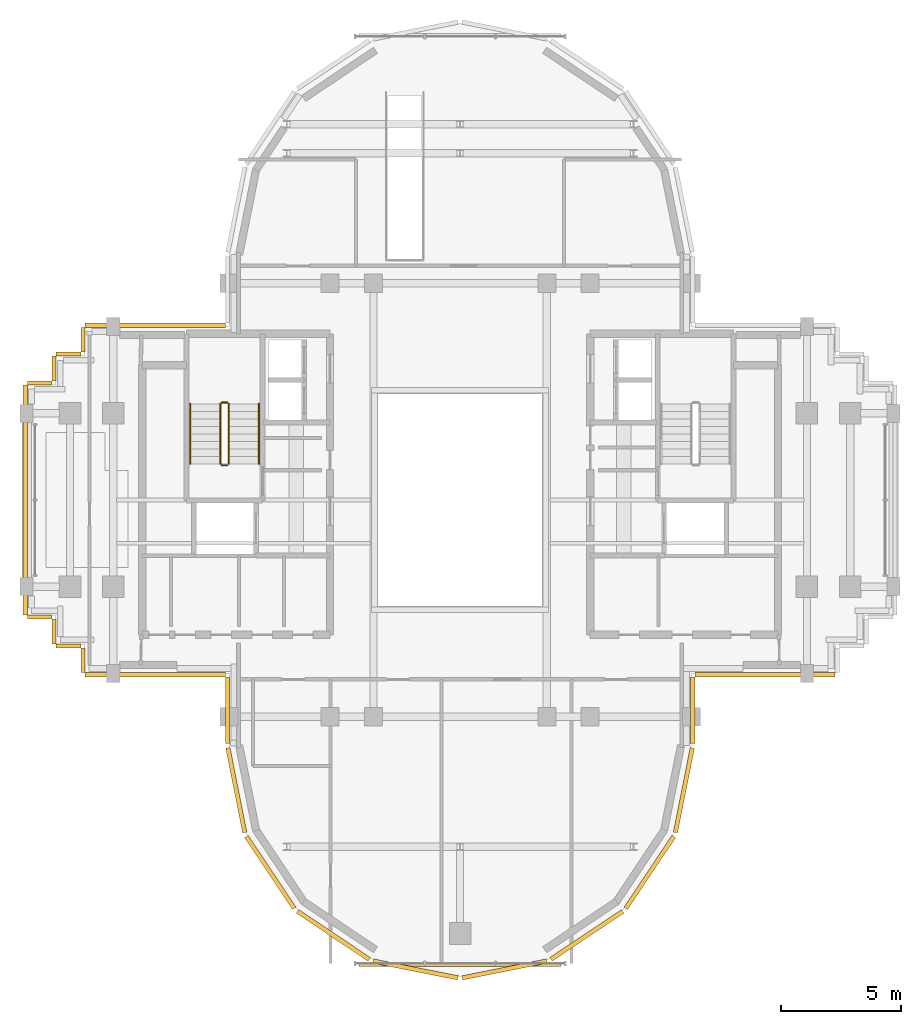
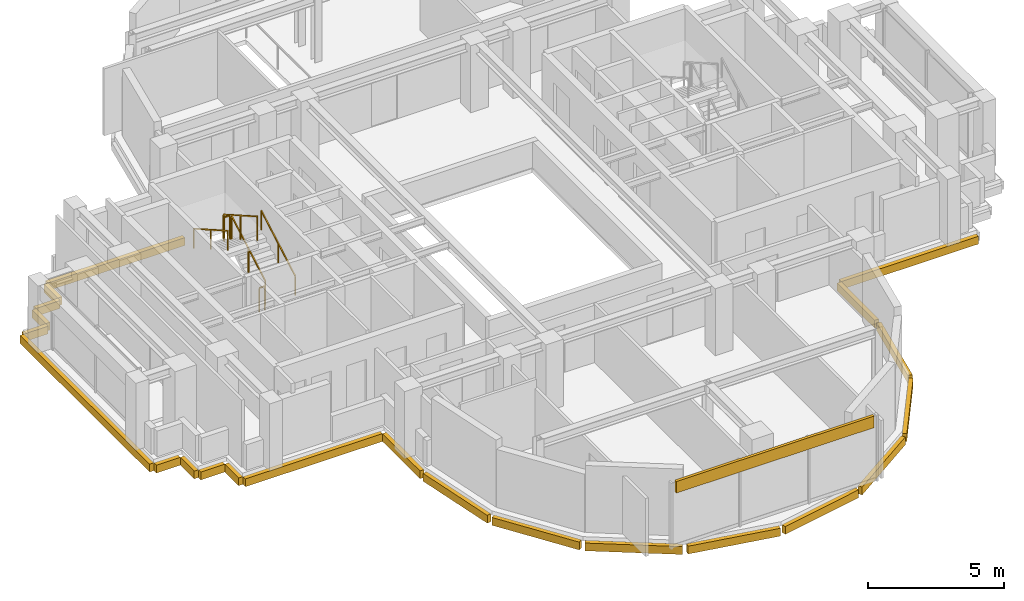
# One storey, part 11 of 12: 23 coverings, 6 railings.
"""IFC4 building model written with IfcOpenShell, lengths in metres."""

from ifc_helpers import new_model, si_unit, direction, frame, origin, origin_2d, place, context, subcontext, project, spatial, rectangle, extrude, source, transform, mapped, material, layer, layer_set, type_object, element, save


model = new_model("IFC4")

# Units and contexts
model_context = context("Model", 3, precision=1e-05, world=origin(), true_north=direction((0.0, 1.0)))
body_context = subcontext(model_context, "Body", "Model", "MODEL_VIEW")
ifc_project = project(units=[si_unit("LENGTHUNIT", "METRE"), si_unit("AREAUNIT", "SQUARE_METRE"), si_unit("VOLUMEUNIT", "CUBIC_METRE"), si_unit("PLANEANGLEUNIT", "RADIAN"), si_unit("MASSUNIT", "GRAM", prefix="KILO")], contexts=[model_context])

# Site, building, storey
site_placement = place(None, origin())
site = spatial("IfcSite", under=ifc_project, at=site_placement, CompositionType="ELEMENT")
building_placement = place(site_placement, origin())
building = spatial("IfcBuilding", under=site, at=building_placement, Name="Keilestroom Media Tower", CompositionType="ELEMENT")
storey_placement = place(building_placement, frame((0.0, 0.0, 223.60009765625)))
storey = spatial("IfcBuildingStorey", under=building, at=storey_placement, Name="L61", CompositionType="ELEMENT", Elevation=223.60009765625)

# Railings
ifc_material_1 = material(Name="Brushed Stainless Steel 1.4301", Category="steel")
railing_type_1 = type_object("IfcRailingType", Name="Stair-Pitch-Handrail-920", PredefinedType="HANDRAIL", material=ifc_material_1)
railing_1_placement = place(storey_placement, frame((-8.35009765625, 1.5, 0.177734375)))
element("IfcRailing", 1, at=railing_1_placement, inside=storey, type_object=railing_type_1, Name="L61 ST-1 stair handrail 1", PredefinedType="HANDRAIL", context=body_context, shape_type="SweptSolid", body=[
    extrude(rectangle(XDim=0.048095703125, YDim=0.048095703125, at=origin_2d()), frame((0.0, 0.0, 0.8759765625), z_axis=(0.0, 0.868875238982, 0.495031129408), x_axis=(-1.0, 0.0, 0.0)), (0.0, 0.0, 1.0), 2.872802734375),
    extrude(rectangle(XDim=0.0419921875, YDim=0.0419921875, at=origin_2d()), origin(), (0.0, 0.0, 1.0), 0.84375),
    extrude(rectangle(XDim=0.0419921875, YDim=0.0419921875, at=origin_2d()), frame((0.0, 1.248046875, 0.7109375)), (0.0, 0.0, 1.0), 0.84375),
    extrude(rectangle(XDim=0.0419921875, YDim=0.0419921875, at=origin_2d()), frame((0.0, 2.49609375, 1.422119140625)), (0.0, 0.0, 1.0), 0.84375),
])
railing_2_placement = place(storey_placement, frame((-11.2099609375, 3.99609375, 1.777587890625)))
element("IfcRailing", 2, at=railing_2_placement, inside=storey, type_object=railing_type_1, Name="L61 ST-1 stair handrail 2", PredefinedType="HANDRAIL", context=body_context, shape_type="SweptSolid", body=[
    extrude(rectangle(XDim=0.048095703125, YDim=0.048095703125, at=origin_2d()), frame((0.0, 0.0, 0.8759765625), z_axis=(0.0, -0.868838684858, 0.495095283449), x_axis=(1.0, 0.0, 0.0)), (0.0, 0.0, 1.0), 2.872802734375),
    extrude(rectangle(XDim=0.0419921875, YDim=0.0419921875, at=origin_2d()), origin(), (0.0, 0.0, 1.0), 0.84375),
    extrude(rectangle(XDim=0.0419921875, YDim=0.0419921875, at=origin_2d()), frame((0.0, -1.248046875, 0.711181640625)), (0.0, 0.0, 1.0), 0.84375),
    extrude(rectangle(XDim=0.0419921875, YDim=0.0419921875, at=origin_2d()), frame((0.0, -2.49609375, 1.42236328125)), (0.0, 0.0, 1.0), 0.84375),
])
ifc_material_2 = material(Name="Painted Steel Balustrade", Category="steel")
railing_type_2 = type_object("IfcRailingType", Name="Stair-Well-And-Landing-Guard-1100", PredefinedType="GUARDRAIL", material=ifc_material_2)
railing_3_placement = place(storey_placement, frame((-9.610107421875, 1.5, 0.177734375)))
element("IfcRailing", 3, at=railing_3_placement, inside=storey, type_object=railing_type_2, Name="L61 ST-1 stair guard 1", PredefinedType="GUARDRAIL", context=body_context, shape_type="SweptSolid", body=[
    extrude(rectangle(XDim=0.048095703125, YDim=0.048095703125, at=origin_2d()), frame((0.0, 0.0, 1.076171875), z_axis=(0.0, 0.868875238982, 0.495031129408), x_axis=(-1.0, 0.0, 0.0)), (0.0, 0.0, 1.0), 2.872802734375),
    extrude(rectangle(XDim=0.0419921875, YDim=0.0419921875, at=origin_2d()), origin(), (0.0, 0.0, 1.0), 1.0439453125),
    extrude(rectangle(XDim=0.0419921875, YDim=0.0419921875, at=origin_2d()), frame((0.0, 1.248046875, 0.7109375)), (0.0, 0.0, 1.0), 1.0439453125),
    extrude(rectangle(XDim=0.0419921875, YDim=0.0419921875, at=origin_2d()), frame((0.0, 2.49609375, 1.422119140625)), (0.0, 0.0, 1.0), 1.0439453125),
])
railing_4_placement = place(storey_placement, frame((-9.659912109375, 4.0458984375, 1.599853515625)))
element("IfcRailing", 4, at=railing_4_placement, inside=storey, type_object=railing_type_2, Name="L61 ST-1 stair guard 2", PredefinedType="GUARDRAIL", context=body_context, shape_type="SweptSolid", body=[
    extrude(rectangle(XDim=0.048095703125, YDim=0.048095703125, at=origin_2d()), frame((0.0, 0.0, 1.076171875), z_axis=(-1.0, 0.0, 0.0), x_axis=(0.0, -1.0, 0.0)), (0.0, 0.0, 1.0), 0.239990234375),
    extrude(rectangle(XDim=0.0419921875, YDim=0.0419921875, at=origin_2d()), origin(), (0.0, 0.0, 1.0), 1.0439453125),
    extrude(rectangle(XDim=0.0419921875, YDim=0.0419921875, at=origin_2d()), frame((-0.239990234375, 0.0, 0.0)), (0.0, 0.0, 1.0), 1.0439453125),
])
railing_5_placement = place(storey_placement, frame((-9.949951171875, 3.99609375, 1.777587890625)))
element("IfcRailing", 5, at=railing_5_placement, inside=storey, type_object=railing_type_2, Name="L61 ST-1 stair guard 3", PredefinedType="GUARDRAIL", context=body_context, shape_type="SweptSolid", body=[
    extrude(rectangle(XDim=0.048095703125, YDim=0.048095703125, at=origin_2d()), frame((0.0, 0.0, 1.076171875), z_axis=(0.0, -0.868838684858, 0.495095283449), x_axis=(1.0, 0.0, 0.0)), (0.0, 0.0, 1.0), 2.872802734375),
    extrude(rectangle(XDim=0.0419921875, YDim=0.0419921875, at=origin_2d()), origin(), (0.0, 0.0, 1.0), 1.0439453125),
    extrude(rectangle(XDim=0.0419921875, YDim=0.0419921875, at=origin_2d()), frame((0.0, -1.248046875, 0.711181640625)), (0.0, 0.0, 1.0), 1.0439453125),
    extrude(rectangle(XDim=0.0419921875, YDim=0.0419921875, at=origin_2d()), frame((0.0, -2.49609375, 1.42236328125)), (0.0, 0.0, 1.0), 1.0439453125),
])
railing_6_placement = place(storey_placement, frame((-9.659912109375, 1.449951171875, 0.0)))
element("IfcRailing", 6, at=railing_6_placement, inside=storey, type_object=railing_type_2, Name="L61 ST-1 stair guard 4", PredefinedType="GUARDRAIL", context=body_context, shape_type="SweptSolid", body=[
    extrude(rectangle(XDim=0.048095703125, YDim=0.048095703125, at=origin_2d()), frame((0.0, 0.0, 1.076171875), z_axis=(-1.0, 0.0, 0.0), x_axis=(0.0, -1.0, 0.0)), (0.0, 0.0, 1.0), 0.239990234375),
    extrude(rectangle(XDim=0.0419921875, YDim=0.0419921875, at=origin_2d()), origin(), (0.0, 0.0, 1.0), 1.0439453125),
    extrude(rectangle(XDim=0.0419921875, YDim=0.0419921875, at=origin_2d()), frame((-0.239990234375, 0.0, 0.0)), (0.0, 0.0, 1.0), 1.0439453125),
])

# Coverings
ifc_material_3 = material(Name="Precast concrete C40/50", Category="concrete")
ifc_layer = layer(ifc_material_3, 0.1201171875)
ifc_layer_set = layer_set([ifc_layer], Name="Precast concrete C40/50")
covering_type = type_object("IfcCoveringType", Name="Exterior-Precast-Spandrel-Cladding-Panel-120", PredefinedType="CLADDING", material=ifc_layer_set)
shared_shape_1 = source(origin(), body_context, "Body", "SweptSolid", [
    extrude(rectangle(XDim=8.39990234375, YDim=0.1201171875, at=origin_2d()), origin(), (0.0, 0.0, 1.0), 0.52001953125),
])
covering_1_placement = place(storey_placement, frame((0.0, -19.320068359375, 2.5), z_axis=(0.0, 0.0, 1.0), x_axis=(1.0, 0.0, 0.0)))
element("IfcCovering", 7, at=covering_1_placement, inside=storey, type_object=covering_type, Name="L61 Precast Spandrel Cladding S", PredefinedType="CLADDING", context=body_context, shape_type="MappedRepresentation", body=[
    mapped(shared_shape_1, transform((0.0, 0.0, 0.0), x_axis=(1.0, 0.0, 0.0), y_axis=(0.0, 1.0, 0.0), z_axis=(0.0, 0.0, 1.0), scale=1.0)),
])
shared_shape_2 = source(origin(), body_context, "Body", "SweptSolid", [
    extrude(rectangle(XDim=1.02001953125, YDim=0.179931640625, at=origin_2d()), origin(), (0.0, 0.0, 1.0), 0.35009765625),
])
for number, where, z_axis, x_axis, name in (
    (8, (-15.659912109375, -6.659912109375, -0.530029296875), (0.0, 0.0, 1.0), (0.0, 1.0, 0.0), "L61 Precast Slab-Edge Fascia Cornice 17"),
    (9, (-16.260009765625, -6.06005859375, -0.530029296875), (0.0, 0.0, 1.0), (-1.0, 0.0, 0.0), "L61 Precast Slab-Edge Fascia Cornice 18"),
    (10, (-16.860107421875, -5.4599609375, -0.530029296875), (0.0, 0.0, 1.0), (0.0, 1.0, 0.0), "L61 Precast Slab-Edge Fascia Cornice 19"),
    (11, (-17.4599609375, -4.860107421875, -0.530029296875), (0.0, 0.0, 1.0), (-1.0, 0.0, 0.0), "L61 Precast Slab-Edge Fascia Cornice 20"),
    (12, (-17.4599609375, 4.860107421875, -0.530029296875), (0.0, 0.0, 1.0), (1.0, 0.0, 0.0), "L61 Precast Slab-Edge Fascia Cornice 22"),
    (13, (-16.860107421875, 5.4599609375, -0.530029296875), (0.0, 0.0, 1.0), (0.0, 1.0, 0.0), "L61 Precast Slab-Edge Fascia Cornice 23"),
    (14, (-16.260009765625, 6.06005859375, -0.530029296875), (0.0, 0.0, 1.0), (1.0, 0.0, 0.0), "L61 Precast Slab-Edge Fascia Cornice 24"),
    (15, (-15.659912109375, 6.659912109375, -0.530029296875), (0.0, 0.0, 1.0), (0.0, 1.0, 0.0), "L61 Precast Slab-Edge Fascia Cornice 25"),
):
    element("IfcCovering", number, at=place(storey_placement, frame(where, z_axis=z_axis, x_axis=x_axis)), inside=storey, type_object=covering_type, Name=name, PredefinedType="CLADDING", context=body_context, shape_type="MappedRepresentation", body=[
        mapped(shared_shape_2, transform((0.0, 0.0, 0.0), x_axis=(1.0, 0.0, 0.0), y_axis=(0.0, 1.0, 0.0), z_axis=(0.0, 0.0, 1.0), scale=1.0)),
    ])
shared_shape_3 = source(origin(), body_context, "Body", "SweptSolid", [
    extrude(rectangle(XDim=5.820068359375, YDim=0.179931640625, at=origin_2d()), origin(), (0.0, 0.0, 1.0), 0.35009765625),
])
for number, where, z_axis, x_axis, name in (
    (16, (12.659912109375, -7.260009765625, -0.530029296875), (0.0, 0.0, 1.0), (-1.0, 0.0, 0.0), "L61 Precast Slab-Edge Fascia Cornice 05"),
    (17, (-12.659912109375, -7.260009765625, -0.530029296875), (0.0, 0.0, 1.0), (-1.0, 0.0, 0.0), "L61 Precast Slab-Edge Fascia Cornice 16"),
    (18, (-12.659912109375, 7.260009765625, -0.530029296875), (0.0, 0.0, 1.0), (1.0, 0.0, 0.0), "L61 Precast Slab-Edge Fascia Cornice 26"),
):
    element("IfcCovering", number, at=place(storey_placement, frame(where, z_axis=z_axis, x_axis=x_axis)), inside=storey, type_object=covering_type, Name=name, PredefinedType="CLADDING", context=body_context, shape_type="MappedRepresentation", body=[
        mapped(shared_shape_3, transform((0.0, 0.0, 0.0), x_axis=(1.0, 0.0, 0.0), y_axis=(0.0, 1.0, 0.0), z_axis=(0.0, 0.0, 1.0), scale=1.0)),
    ])
shared_shape_4 = source(origin(), body_context, "Body", "SweptSolid", [
    extrude(rectangle(XDim=2.765869140625, YDim=0.179931640625, at=origin_2d()), origin(), (0.0, 0.0, 1.0), 0.35009765625),
])
for number, where, z_axis, x_axis, name in (
    (19, (9.659912109375, -8.73291015625, -0.530029296875), (0.0, 0.0, 1.0), (0.0, -1.0, 0.0), "L61 Precast Slab-Edge Fascia Cornice 06"),
    (20, (-9.659912109375, -8.73291015625, -0.530029296875), (0.0, 0.0, 1.0), (0.0, 1.0, 0.0), "L61 Precast Slab-Edge Fascia Cornice 15"),
):
    element("IfcCovering", number, at=place(storey_placement, frame(where, z_axis=z_axis, x_axis=x_axis)), inside=storey, type_object=covering_type, Name=name, PredefinedType="CLADDING", context=body_context, shape_type="MappedRepresentation", body=[
        mapped(shared_shape_4, transform((0.0, 0.0, 0.0), x_axis=(1.0, 0.0, 0.0), y_axis=(0.0, 1.0, 0.0), z_axis=(0.0, 0.0, 1.0), scale=1.0)),
    ])
shared_shape_5 = source(origin(), body_context, "Body", "SweptSolid", [
    extrude(rectangle(XDim=3.58349609375, YDim=0.179931640625, at=origin_2d()), origin(), (0.0, 0.0, 1.0), 0.35009765625),
])
for number, where, z_axis, x_axis, name in (
    (21, (9.29296875, -12.051513671875, -0.530029296875), (0.0, 0.0, 1.0), (-0.195098880975, -0.980783577882, 0.0), "L61 Precast Slab-Edge Fascia Cornice 07"),
    (22, (-9.29296875, -12.051513671875, -0.530029296875), (0.0, 0.0, 1.0), (-0.195098880975, 0.980783577882, 0.0), "L61 Precast Slab-Edge Fascia Cornice 14"),
):
    element("IfcCovering", number, at=place(storey_placement, frame(where, z_axis=z_axis, x_axis=x_axis)), inside=storey, type_object=covering_type, Name=name, PredefinedType="CLADDING", context=body_context, shape_type="MappedRepresentation", body=[
        mapped(shared_shape_5, transform((0.0, 0.0, 0.0), x_axis=(1.0, 0.0, 0.0), y_axis=(0.0, 1.0, 0.0), z_axis=(0.0, 0.0, 1.0), scale=1.0)),
    ])
shared_shape_6 = source(origin(), body_context, "Body", "SweptSolid", [
    extrude(rectangle(XDim=3.589599609375, YDim=0.179931640625, at=origin_2d()), origin(), (0.0, 0.0, 1.0), 0.35009765625),
])
for number, where, z_axis, x_axis, name in (
    (23, (7.878662109375, -15.46435546875, -0.530029296875), (0.0, 0.0, 1.0), (-0.555574586577, -0.831466703332, 0.0), "L61 Precast Slab-Edge Fascia Cornice 08"),
    (24, (5.264404296875, -18.07861328125, -0.530029296875), (0.0, 0.0, 1.0), (-0.831466703332, -0.555574586577, 0.0), "L61 Precast Slab-Edge Fascia Cornice 09"),
    (25, (1.8486328125, -19.493408203125, -0.530029296875), (0.0, 0.0, 1.0), (-0.980783577882, -0.195098880975, 0.0), "L61 Precast Slab-Edge Fascia Cornice 10"),
    (26, (-1.8486328125, -19.493408203125, -0.530029296875), (0.0, 0.0, 1.0), (-0.980783577882, 0.195098880975, 0.0), "L61 Precast Slab-Edge Fascia Cornice 11"),
    (27, (-5.264404296875, -18.07861328125, -0.530029296875), (0.0, 0.0, 1.0), (-0.831466703332, 0.555574586577, 0.0), "L61 Precast Slab-Edge Fascia Cornice 12"),
    (28, (-7.878662109375, -15.46435546875, -0.530029296875), (0.0, 0.0, 1.0), (-0.555574586577, 0.831466703332, 0.0), "L61 Precast Slab-Edge Fascia Cornice 13"),
):
    element("IfcCovering", number, at=place(storey_placement, frame(where, z_axis=z_axis, x_axis=x_axis)), inside=storey, type_object=covering_type, Name=name, PredefinedType="CLADDING", context=body_context, shape_type="MappedRepresentation", body=[
        mapped(shared_shape_6, transform((0.0, 0.0, 0.0), x_axis=(1.0, 0.0, 0.0), y_axis=(0.0, 1.0, 0.0), z_axis=(0.0, 0.0, 1.0), scale=1.0)),
    ])
shared_shape_7 = source(origin(), body_context, "Body", "SweptSolid", [
    extrude(rectangle(XDim=9.5400390625, YDim=0.179931640625, at=origin_2d()), origin(), (0.0, 0.0, 1.0), 0.35009765625),
])
covering_2_placement = place(storey_placement, frame((-18.06005859375, 0.0, -0.530029296875), z_axis=(0.0, 0.0, 1.0), x_axis=(0.0, 1.0, 0.0)))
element("IfcCovering", 29, at=covering_2_placement, inside=storey, type_object=covering_type, Name="L61 Precast Slab-Edge Fascia Cornice 21", PredefinedType="CLADDING", context=body_context, shape_type="MappedRepresentation", body=[
    mapped(shared_shape_7, transform((0.0, 0.0, 0.0), x_axis=(1.0, 0.0, 0.0), y_axis=(0.0, 1.0, 0.0), z_axis=(0.0, 0.0, 1.0), scale=1.0)),
])

save(model, "model.ifc")
